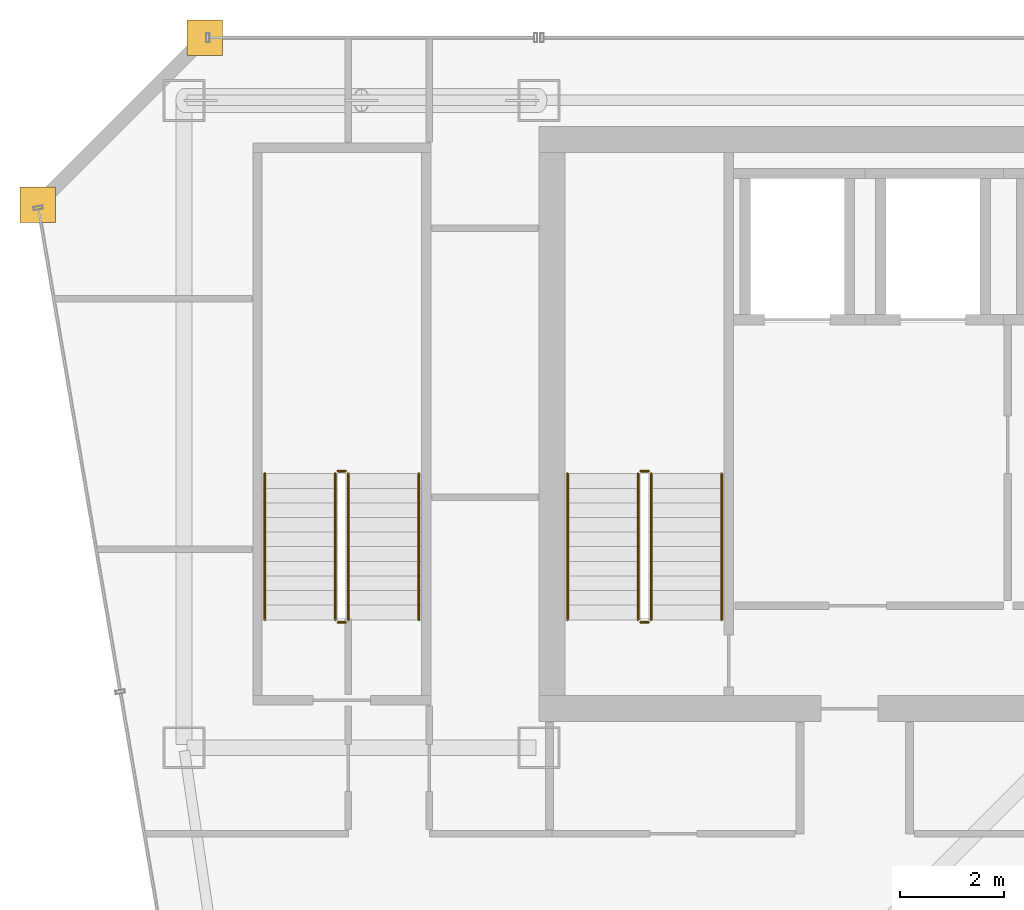
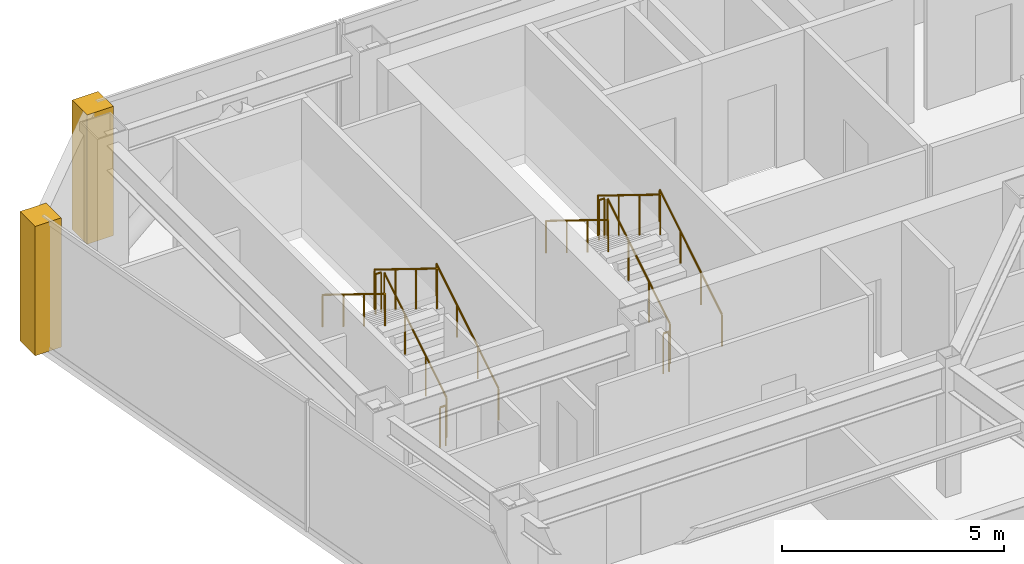
# One storey, part 34 of 35: 12 railings, 2 coverings.
"""IFC4 building model written with IfcOpenShell, lengths in metres."""

from ifc_helpers import new_model, si_unit, direction, frame, origin, origin_2d, place, context, subcontext, project, spatial, polyline, circle, outline, extrude, material, layer, layer_set, type_object, element, save


model = new_model("IFC4")

# Units and contexts
model_context = context("Model", 3, precision=1e-05, world=origin(), true_north=direction((0.0, 1.0)))
body_context = subcontext(model_context, "Body", "Model", "MODEL_VIEW")
ifc_project = project(units=[si_unit("LENGTHUNIT", "METRE"), si_unit("AREAUNIT", "SQUARE_METRE"), si_unit("VOLUMEUNIT", "CUBIC_METRE"), si_unit("PLANEANGLEUNIT", "RADIAN"), si_unit("MASSUNIT", "GRAM", prefix="KILO")], contexts=[model_context])

# Site, building, storey
site_placement = place(None, origin())
site = spatial("IfcSite", under=ifc_project, at=site_placement, CompositionType="ELEMENT")
building_placement = place(site_placement, origin())
building = spatial("IfcBuilding", under=site, at=building_placement, Name="Saevonmaru Cultural Tower", CompositionType="ELEMENT")
storey_placement = place(building_placement, frame((0.0, 0.0, 217.0)))
storey = spatial("IfcBuildingStorey", under=building, at=storey_placement, Name="L50", CompositionType="ELEMENT", Elevation=217.0)

# Coverings
ifc_material_1 = material(Name="Satin Bronze Anodised Aluminium", Category="aluminium")
ifc_layer = layer(ifc_material_1, 0.679931640625, Name="Satin Bronze Anodised Aluminium")
ifc_layer_set = layer_set([ifc_layer], Name="Satin Bronze Anodised Aluminium")
covering_type = type_object("IfcCoveringType", Name="CV-CORNER-CLAD", PredefinedType="CLADDING", material=ifc_layer_set)
covering_1_placement = place(storey_placement, origin())
element("IfcCovering", 1, at=covering_1_placement, inside=storey, type_object=covering_type, Name="L50 Tower Bronze Corner Cladding Pier 11", PredefinedType="CLADDING", context=body_context, shape_type="SweptSolid", body=[
    extrude(outline(polyline([(6.860107421875, 55.659912109375), (7.5400390625, 55.659912109375), (7.5400390625, 56.340087890625), (6.860107421875, 56.340087890625), (6.860107421875, 55.659912109375)])), origin(), (0.0, 0.0, 1.0), 3.550048828125),
])
covering_2_placement = place(storey_placement, origin())
element("IfcCovering", 2, at=covering_2_placement, inside=storey, type_object=covering_type, Name="L50 Tower Bronze Corner Cladding Pier 12", PredefinedType="CLADDING", context=body_context, shape_type="SweptSolid", body=[
    extrude(outline(polyline([(3.659912109375, 52.4599609375), (4.340087890625, 52.4599609375), (4.340087890625, 53.139892578125), (3.659912109375, 53.139892578125), (3.659912109375, 52.4599609375)])), origin(), (0.0, 0.0, 1.0), 3.550048828125),
])

# Railings
ifc_material_2 = material(Name="Architectural Painted Steel", Category="steel")
railing_type_1 = type_object("IfcRailingType", Name="RL-STAIR-GUARD", PredefinedType="GUARDRAIL", material=ifc_material_2)
railing_1_placement = place(storey_placement, frame((15.75, 44.85009765625, 0.172607421875)))
element("IfcRailing", 3, at=railing_1_placement, inside=storey, type_object=railing_type_1, Name="L50 ST-1 stair guard 1", PredefinedType="GUARDRAIL", context=body_context, shape_type="SweptSolid", body=[
    extrude(circle(Radius=0.02392578125, at=origin_2d()), frame((0.0, 0.0, 1.09619140625), z_axis=(0.0, 0.851069175582, 0.525053576669), x_axis=(-1.0, 0.0, 0.0)), (0.0, 0.0, 1.0), 3.289794921875),
    extrude(circle(Radius=0.02099609375, at=origin_2d()), origin(), (0.0, 0.0, 1.0), 1.072021484375),
    extrude(circle(Radius=0.02099609375, at=origin_2d()), frame((0.0, 0.933349609375, 0.57568359375)), (0.0, 0.0, 1.0), 1.072021484375),
    extrude(circle(Radius=0.02099609375, at=origin_2d()), frame((0.0, 1.866455078125, 1.151611328125)), (0.0, 0.0, 1.0), 1.072021484375),
    extrude(circle(Radius=0.02099609375, at=origin_2d()), frame((0.0, 2.7998046875, 1.727294921875)), (0.0, 0.0, 1.0), 1.072021484375),
])
railing_2_placement = place(storey_placement, frame((15.699951171875, 47.699951171875, 1.89990234375)))
element("IfcRailing", 4, at=railing_2_placement, inside=storey, type_object=railing_type_1, Name="L50 ST-1 stair guard 2", PredefinedType="GUARDRAIL", context=body_context, shape_type="SweptSolid", body=[
    extrude(circle(Radius=0.02392578125, at=origin_2d()), frame((0.0, 0.0, 1.09619140625), z_axis=(-1.0, 0.0, 0.0), x_axis=(0.0, -1.0, 0.0)), (0.0, 0.0, 1.0), 0.14990234375),
    extrude(circle(Radius=0.02099609375, at=origin_2d()), origin(), (0.0, 0.0, 1.0), 1.072021484375),
    extrude(circle(Radius=0.02099609375, at=origin_2d()), frame((-0.14990234375, 0.0, 0.0)), (0.0, 0.0, 1.0), 1.072021484375),
])
railing_3_placement = place(storey_placement, frame((15.5, 47.64990234375, 2.07275390625)))
element("IfcRailing", 5, at=railing_3_placement, inside=storey, type_object=railing_type_1, Name="L50 ST-1 stair guard 3", PredefinedType="GUARDRAIL", context=body_context, shape_type="SweptSolid", body=[
    extrude(circle(Radius=0.02392578125, at=origin_2d()), frame((0.0, 0.0, 1.09619140625), z_axis=(0.0, -0.851069175582, 0.525053576669), x_axis=(1.0, 0.0, 0.0)), (0.0, 0.0, 1.0), 3.289794921875),
    extrude(circle(Radius=0.02099609375, at=origin_2d()), origin(), (0.0, 0.0, 1.0), 1.072021484375),
    extrude(circle(Radius=0.02099609375, at=origin_2d()), frame((0.0, -0.933349609375, 0.57568359375)), (0.0, 0.0, 1.0), 1.072021484375),
    extrude(circle(Radius=0.02099609375, at=origin_2d()), frame((0.0, -1.866455078125, 1.151611328125)), (0.0, 0.0, 1.0), 1.072021484375),
    extrude(circle(Radius=0.02099609375, at=origin_2d()), frame((0.0, -2.7998046875, 1.727294921875)), (0.0, 0.0, 1.0), 1.072021484375),
])
railing_4_placement = place(storey_placement, frame((15.699951171875, 44.800048828125, 0.0)))
element("IfcRailing", 6, at=railing_4_placement, inside=storey, type_object=railing_type_1, Name="L50 ST-1 stair guard 4", PredefinedType="GUARDRAIL", context=body_context, shape_type="SweptSolid", body=[
    extrude(circle(Radius=0.02392578125, at=origin_2d()), frame((0.0, 0.0, 1.09619140625), z_axis=(-1.0, 0.0, 0.0), x_axis=(0.0, -1.0, 0.0)), (0.0, 0.0, 1.0), 0.14990234375),
    extrude(circle(Radius=0.02099609375, at=origin_2d()), origin(), (0.0, 0.0, 1.0), 1.072021484375),
    extrude(circle(Radius=0.02099609375, at=origin_2d()), frame((-0.14990234375, 0.0, 0.0)), (0.0, 0.0, 1.0), 1.072021484375),
])
railing_5_placement = place(storey_placement, frame((9.949951171875, 44.85009765625, 0.172607421875)))
element("IfcRailing", 7, at=railing_5_placement, inside=storey, type_object=railing_type_1, Name="L50 ST-3 stair guard 1", PredefinedType="GUARDRAIL", context=body_context, shape_type="SweptSolid", body=[
    extrude(circle(Radius=0.02392578125, at=origin_2d()), frame((0.0, 0.0, 1.09619140625), z_axis=(0.0, 0.851069175582, 0.525053576669), x_axis=(-1.0, 0.0, 0.0)), (0.0, 0.0, 1.0), 3.289794921875),
    extrude(circle(Radius=0.02099609375, at=origin_2d()), origin(), (0.0, 0.0, 1.0), 1.072021484375),
    extrude(circle(Radius=0.02099609375, at=origin_2d()), frame((0.0, 0.933349609375, 0.57568359375)), (0.0, 0.0, 1.0), 1.072021484375),
    extrude(circle(Radius=0.02099609375, at=origin_2d()), frame((0.0, 1.866455078125, 1.151611328125)), (0.0, 0.0, 1.0), 1.072021484375),
    extrude(circle(Radius=0.02099609375, at=origin_2d()), frame((0.0, 2.7998046875, 1.727294921875)), (0.0, 0.0, 1.0), 1.072021484375),
])
railing_6_placement = place(storey_placement, frame((9.89990234375, 47.699951171875, 1.89990234375)))
element("IfcRailing", 8, at=railing_6_placement, inside=storey, type_object=railing_type_1, Name="L50 ST-3 stair guard 2", PredefinedType="GUARDRAIL", context=body_context, shape_type="SweptSolid", body=[
    extrude(circle(Radius=0.02392578125, at=origin_2d()), frame((0.0, 0.0, 1.09619140625), z_axis=(-1.0, 0.0, 0.0), x_axis=(0.0, -1.0, 0.0)), (0.0, 0.0, 1.0), 0.14990234375),
    extrude(circle(Radius=0.02099609375, at=origin_2d()), origin(), (0.0, 0.0, 1.0), 1.072021484375),
    extrude(circle(Radius=0.02099609375, at=origin_2d()), frame((-0.14990234375, 0.0, 0.0)), (0.0, 0.0, 1.0), 1.072021484375),
])
railing_7_placement = place(storey_placement, frame((9.699951171875, 47.64990234375, 2.07275390625)))
element("IfcRailing", 9, at=railing_7_placement, inside=storey, type_object=railing_type_1, Name="L50 ST-3 stair guard 3", PredefinedType="GUARDRAIL", context=body_context, shape_type="SweptSolid", body=[
    extrude(circle(Radius=0.02392578125, at=origin_2d()), frame((0.0, 0.0, 1.09619140625), z_axis=(0.0, -0.851069175582, 0.525053576669), x_axis=(1.0, 0.0, 0.0)), (0.0, 0.0, 1.0), 3.289794921875),
    extrude(circle(Radius=0.02099609375, at=origin_2d()), origin(), (0.0, 0.0, 1.0), 1.072021484375),
    extrude(circle(Radius=0.02099609375, at=origin_2d()), frame((0.0, -0.933349609375, 0.57568359375)), (0.0, 0.0, 1.0), 1.072021484375),
    extrude(circle(Radius=0.02099609375, at=origin_2d()), frame((0.0, -1.866455078125, 1.151611328125)), (0.0, 0.0, 1.0), 1.072021484375),
    extrude(circle(Radius=0.02099609375, at=origin_2d()), frame((0.0, -2.7998046875, 1.727294921875)), (0.0, 0.0, 1.0), 1.072021484375),
])
railing_8_placement = place(storey_placement, frame((9.89990234375, 44.800048828125, 0.0)))
element("IfcRailing", 10, at=railing_8_placement, inside=storey, type_object=railing_type_1, Name="L50 ST-3 stair guard 4", PredefinedType="GUARDRAIL", context=body_context, shape_type="SweptSolid", body=[
    extrude(circle(Radius=0.02392578125, at=origin_2d()), frame((0.0, 0.0, 1.09619140625), z_axis=(-1.0, 0.0, 0.0), x_axis=(0.0, -1.0, 0.0)), (0.0, 0.0, 1.0), 0.14990234375),
    extrude(circle(Radius=0.02099609375, at=origin_2d()), origin(), (0.0, 0.0, 1.0), 1.072021484375),
    extrude(circle(Radius=0.02099609375, at=origin_2d()), frame((-0.14990234375, 0.0, 0.0)), (0.0, 0.0, 1.0), 1.072021484375),
])
railing_type_2 = type_object("IfcRailingType", Name="RL-STAIR-HANDRAIL", PredefinedType="HANDRAIL", material=ifc_material_1)
railing_9_placement = place(storey_placement, frame((17.10009765625, 44.85009765625, 0.172607421875)))
element("IfcRailing", 11, at=railing_9_placement, inside=storey, type_object=railing_type_2, Name="L50 ST-1 stair handrail 1", PredefinedType="HANDRAIL", context=body_context, shape_type="SweptSolid", body=[
    extrude(circle(Radius=0.02392578125, at=origin_2d()), frame((0.0, 0.0, 0.8759765625), z_axis=(0.0, 0.851069175582, 0.525053576669), x_axis=(-1.0, 0.0, 0.0)), (0.0, 0.0, 1.0), 3.289794921875),
    extrude(circle(Radius=0.02099609375, at=origin_2d()), origin(), (0.0, 0.0, 1.0), 0.851806640625),
    extrude(circle(Radius=0.02099609375, at=origin_2d()), frame((0.0, 0.933349609375, 0.57568359375)), (0.0, 0.0, 1.0), 0.851806640625),
    extrude(circle(Radius=0.02099609375, at=origin_2d()), frame((0.0, 1.866455078125, 1.151611328125)), (0.0, 0.0, 1.0), 0.851806640625),
    extrude(circle(Radius=0.02099609375, at=origin_2d()), frame((0.0, 2.7998046875, 1.727294921875)), (0.0, 0.0, 1.0), 0.851806640625),
])
railing_10_placement = place(storey_placement, frame((14.14990234375, 47.64990234375, 2.07275390625)))
element("IfcRailing", 12, at=railing_10_placement, inside=storey, type_object=railing_type_2, Name="L50 ST-1 stair handrail 2", PredefinedType="HANDRAIL", context=body_context, shape_type="SweptSolid", body=[
    extrude(circle(Radius=0.02392578125, at=origin_2d()), frame((0.0, 0.0, 0.8759765625), z_axis=(0.0, -0.851069175582, 0.525053576669), x_axis=(1.0, 0.0, 0.0)), (0.0, 0.0, 1.0), 3.289794921875),
    extrude(circle(Radius=0.02099609375, at=origin_2d()), origin(), (0.0, 0.0, 1.0), 0.851806640625),
    extrude(circle(Radius=0.02099609375, at=origin_2d()), frame((0.0, -0.933349609375, 0.57568359375)), (0.0, 0.0, 1.0), 0.851806640625),
    extrude(circle(Radius=0.02099609375, at=origin_2d()), frame((0.0, -1.866455078125, 1.151611328125)), (0.0, 0.0, 1.0), 0.851806640625),
    extrude(circle(Radius=0.02099609375, at=origin_2d()), frame((0.0, -2.7998046875, 1.727294921875)), (0.0, 0.0, 1.0), 0.851806640625),
])
railing_11_placement = place(storey_placement, frame((11.300048828125, 44.85009765625, 0.172607421875)))
element("IfcRailing", 13, at=railing_11_placement, inside=storey, type_object=railing_type_2, Name="L50 ST-3 stair handrail 1", PredefinedType="HANDRAIL", context=body_context, shape_type="SweptSolid", body=[
    extrude(circle(Radius=0.02392578125, at=origin_2d()), frame((0.0, 0.0, 0.8759765625), z_axis=(0.0, 0.851069175582, 0.525053576669), x_axis=(-1.0, 0.0, 0.0)), (0.0, 0.0, 1.0), 3.289794921875),
    extrude(circle(Radius=0.02099609375, at=origin_2d()), origin(), (0.0, 0.0, 1.0), 0.851806640625),
    extrude(circle(Radius=0.02099609375, at=origin_2d()), frame((0.0, 0.933349609375, 0.57568359375)), (0.0, 0.0, 1.0), 0.851806640625),
    extrude(circle(Radius=0.02099609375, at=origin_2d()), frame((0.0, 1.866455078125, 1.151611328125)), (0.0, 0.0, 1.0), 0.851806640625),
    extrude(circle(Radius=0.02099609375, at=origin_2d()), frame((0.0, 2.7998046875, 1.727294921875)), (0.0, 0.0, 1.0), 0.851806640625),
])
railing_12_placement = place(storey_placement, frame((8.35009765625, 47.64990234375, 2.07275390625)))
element("IfcRailing", 14, at=railing_12_placement, inside=storey, type_object=railing_type_2, Name="L50 ST-3 stair handrail 2", PredefinedType="HANDRAIL", context=body_context, shape_type="SweptSolid", body=[
    extrude(circle(Radius=0.02392578125, at=origin_2d()), frame((0.0, 0.0, 0.8759765625), z_axis=(0.0, -0.851069175582, 0.525053576669), x_axis=(1.0, 0.0, 0.0)), (0.0, 0.0, 1.0), 3.289794921875),
    extrude(circle(Radius=0.02099609375, at=origin_2d()), origin(), (0.0, 0.0, 1.0), 0.851806640625),
    extrude(circle(Radius=0.02099609375, at=origin_2d()), frame((0.0, -0.933349609375, 0.57568359375)), (0.0, 0.0, 1.0), 0.851806640625),
    extrude(circle(Radius=0.02099609375, at=origin_2d()), frame((0.0, -1.866455078125, 1.151611328125)), (0.0, 0.0, 1.0), 0.851806640625),
    extrude(circle(Radius=0.02099609375, at=origin_2d()), frame((0.0, -2.7998046875, 1.727294921875)), (0.0, 0.0, 1.0), 0.851806640625),
])

save(model, "model.ifc")
